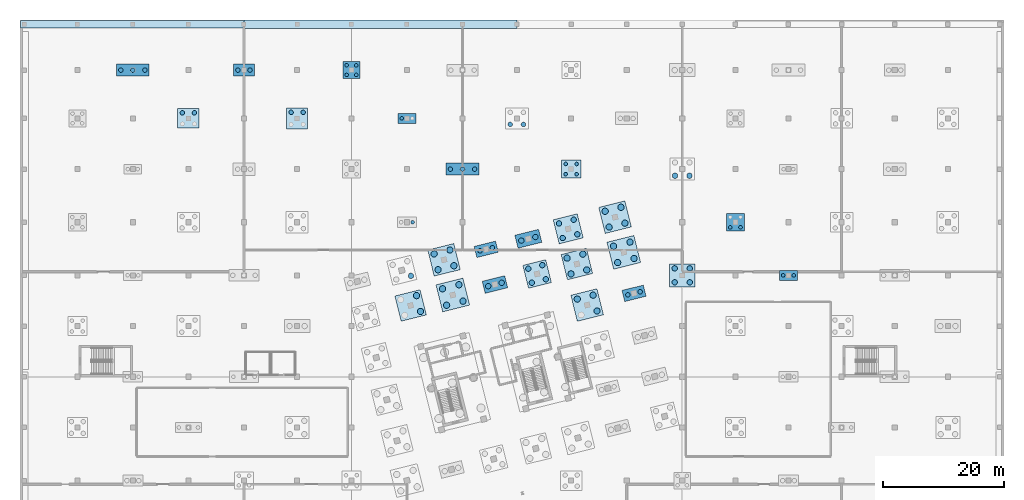
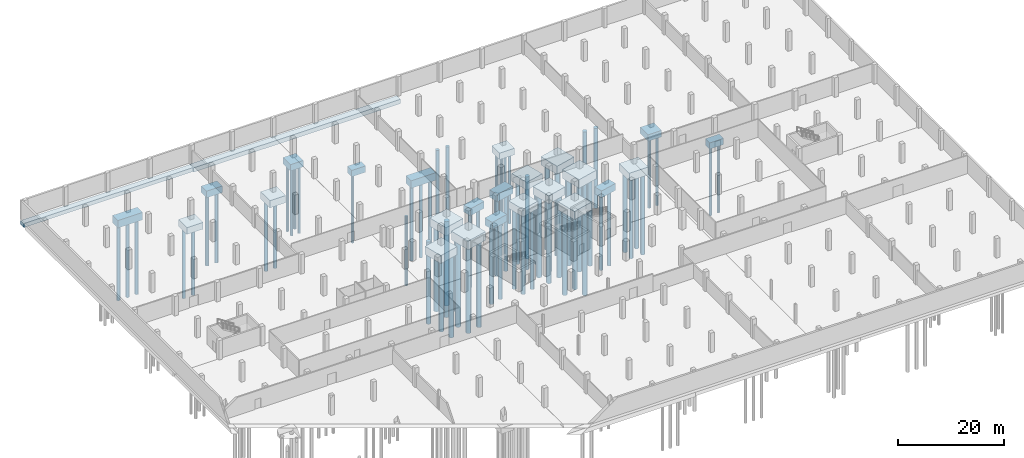
# One storey, part 4 of 29: 76 piles, 26 footings.
"""IFC4 building model written with IfcOpenShell, lengths in metres."""

from ifc_helpers import new_model, si_unit, direction, frame, origin, origin_2d, place, context, subcontext, project, spatial, rectangle, circle, extrude, material, layer, layer_set, material_profile, profile_set, type_object, element, save


model = new_model("IFC4")

# Units and contexts
model_context = context("Model", 3, precision=1e-05, world=origin(), true_north=direction((0.0, 1.0)))
body_context = subcontext(model_context, "Body", "Model", "MODEL_VIEW")
ifc_project = project(units=[si_unit("LENGTHUNIT", "METRE"), si_unit("AREAUNIT", "SQUARE_METRE"), si_unit("VOLUMEUNIT", "CUBIC_METRE"), si_unit("PLANEANGLEUNIT", "RADIAN"), si_unit("MASSUNIT", "GRAM", prefix="KILO")], contexts=[model_context])

# Site, building, storey
site_placement = place(None, origin())
site = spatial("IfcSite", under=ifc_project, at=site_placement, CompositionType="ELEMENT")
building_placement = place(site_placement, origin())
building = spatial("IfcBuilding", under=site, at=building_placement, Name="Meriwether Solvik Hall", CompositionType="ELEMENT")
storey_placement = place(building_placement, frame((0.0, 0.0, -9.0)))
storey = spatial("IfcBuildingStorey", under=building, at=storey_placement, Name="B02", CompositionType="ELEMENT", Elevation=-9.0)

# Footings
ifc_material_1 = material(Name="Concrete C40/50", Category="concrete")
ifc_layer_1 = layer(ifc_material_1, 1.449951171875)
ifc_layer_set_1 = layer_set([ifc_layer_1], Name="Concrete C40/50")
footing_type_1 = type_object("IfcFootingType", Name="FTG-PC-2800X2800X1450", PredefinedType="PILE_CAP", material=ifc_layer_set_1)
footing_1_placement = place(storey_placement, frame((59.39990234375, 109.199951171875, -2.0498046875), z_axis=(0.0, 0.0, 1.0), x_axis=(1.0, 0.0, 0.0)))
element("IfcFooting", 1, at=footing_1_placement, inside=storey, type_object=footing_type_1, Name="Pile Cap pod_7_M", PredefinedType="PILE_CAP", context=body_context, shape_type="SweptSolid", body=[
    extrude(rectangle(XDim=2.800048828125, YDim=2.800048828125, at=origin_2d()), origin(), (0.0, 0.0, 1.0), 1.449951171875),
])
ifc_material_2 = material(Name="Concrete C40/50", Category="concrete")
ifc_layer_2 = layer(ifc_material_2, 1.5)
ifc_layer_set_2 = layer_set([ifc_layer_2], Name="Concrete C40/50")
footing_type_2 = type_object("IfcFootingType", Name="FTG-PC-2950X2950X1500", PredefinedType="PILE_CAP", material=ifc_layer_set_2)
footing_2_placement = place(storey_placement, frame((123.0, 84.0, -2.10009765625), z_axis=(0.0, 0.0, 1.0), x_axis=(1.0, 0.0, 0.0)))
element("IfcFooting", 2, at=footing_2_placement, inside=storey, type_object=footing_type_2, Name="Pile Cap pod_14_J", PredefinedType="PILE_CAP", context=body_context, shape_type="SweptSolid", body=[
    extrude(rectangle(XDim=2.949951171875, YDim=2.949951171875, at=origin_2d()), origin(), (0.0, 0.0, 1.0), 1.5),
])
ifc_material_3 = material(Name="Concrete C40/50", Category="concrete")
ifc_layer_3 = layer(ifc_material_3, 1.449951171875)
ifc_layer_set_3 = layer_set([ifc_layer_3], Name="Concrete C40/50")
footing_type_3 = type_object("IfcFootingType", Name="FTG-PC-3050X1650X1450", PredefinedType="PILE_CAP", material=ifc_layer_set_3)
for number, where, z_axis, x_axis, name in (
    (3, (68.60009765625, 101.199951171875, -2.0498046875), (0.0, 0.0, 1.0), (1.0, 0.0, 0.0), "Pile Cap pod_8_L"),
    (4, (131.800048828125, 75.199951171875, -2.0498046875), (0.0, 0.0, 1.0), (1.0, 0.0, 0.0), "Pile Cap pod_15_I"),
):
    element("IfcFooting", number, at=place(storey_placement, frame(where, z_axis=z_axis, x_axis=x_axis)), inside=storey, type_object=footing_type_3, Name=name, PredefinedType="PILE_CAP", context=body_context, shape_type="SweptSolid", body=[
        extrude(rectangle(XDim=3.050048828125, YDim=1.64990234375, at=origin_2d()), origin(), (0.0, 0.0, 1.0), 1.449951171875),
    ])
ifc_material_4 = material(Name="Concrete C40/50", Category="concrete")
ifc_layer_4 = layer(ifc_material_4, 1.5)
ifc_layer_set_4 = layer_set([ifc_layer_4], Name="Concrete C40/50")
footing_type_4 = type_object("IfcFootingType", Name="FTG-PC-3250X2950X1500", PredefinedType="PILE_CAP", material=ifc_layer_set_4)
footing_3_placement = place(storey_placement, frame((95.800048828125, 92.800048828125, -2.10009765625), z_axis=(0.0, 0.0, 1.0), x_axis=(1.0, 0.0, 0.0)))
element("IfcFooting", 5, at=footing_3_placement, inside=storey, type_object=footing_type_4, Name="Pile Cap pod_11_K", PredefinedType="PILE_CAP", context=body_context, shape_type="SweptSolid", body=[
    extrude(rectangle(XDim=3.25, YDim=2.949951171875, at=origin_2d()), origin(), (0.0, 0.0, 1.0), 1.5),
])
ifc_material_5 = material(Name="Concrete C40/50", Category="concrete")
ifc_layer_5 = layer(ifc_material_5, 1.550048828125)
ifc_layer_set_5 = layer_set([ifc_layer_5], Name="Concrete C40/50")
footing_type_5 = type_object("IfcFootingType", Name="FTG-PC-3450X2000X1550", PredefinedType="PILE_CAP", material=ifc_layer_set_5)
footing_4_placement = place(storey_placement, frame((41.60009765625, 109.199951171875, -2.14990234375), z_axis=(0.0, 0.0, 1.0), x_axis=(1.0, 0.0, 0.0)))
element("IfcFooting", 6, at=footing_4_placement, inside=storey, type_object=footing_type_5, Name="Pile Cap pod_5_M", PredefinedType="PILE_CAP", context=body_context, shape_type="SweptSolid", body=[
    extrude(rectangle(XDim=3.449951171875, YDim=2.0, at=origin_2d()), origin(), (0.0, 0.0, 1.0), 1.550048828125),
])
ifc_material_6 = material(Name="Concrete C40/50", Category="concrete")
ifc_layer_6 = layer(ifc_material_6, 1.64990234375)
ifc_layer_set_6 = layer_set([ifc_layer_6], Name="Concrete C40/50")
footing_type_6 = type_object("IfcFootingType", Name="FTG-PC-3450X3450X1650", PredefinedType="PILE_CAP", material=ifc_layer_set_6)
footing_5_placement = place(storey_placement, frame((50.39990234375, 101.199951171875, -2.25), z_axis=(0.0, 0.0, 1.0), x_axis=(1.0, 0.0, 0.0)))
element("IfcFooting", 7, at=footing_5_placement, inside=storey, type_object=footing_type_6, Name="Pile Cap pod_6_L", PredefinedType="PILE_CAP", context=body_context, shape_type="SweptSolid", body=[
    extrude(rectangle(XDim=3.449951171875, YDim=3.449951171875, at=origin_2d()), origin(), (0.0, 0.0, 1.0), 1.64990234375),
])
ifc_material_7 = material(Name="Concrete C40/50", Category="concrete")
ifc_layer_7 = layer(ifc_material_7, 1.550048828125)
ifc_layer_set_7 = layer_set([ifc_layer_7], Name="Concrete C40/50")
footing_type_7 = type_object("IfcFootingType", Name="FTG-PC-3550X3200X1550", PredefinedType="PILE_CAP", material=ifc_layer_set_7)
footing_6_placement = place(storey_placement, frame((32.39990234375, 101.199951171875, -2.14990234375), z_axis=(0.0, 0.0, 1.0), x_axis=(1.0, 0.0, 0.0)))
element("IfcFooting", 8, at=footing_6_placement, inside=storey, type_object=footing_type_7, Name="Pile Cap pod_4_L", PredefinedType="PILE_CAP", context=body_context, shape_type="SweptSolid", body=[
    extrude(rectangle(XDim=3.550048828125, YDim=3.199951171875, at=origin_2d()), origin(), (0.0, 0.0, 1.0), 1.550048828125),
])
ifc_material_8 = material(Name="Concrete C40/50", Category="concrete")
ifc_layer_8 = layer(ifc_material_8, 1.60009765625)
ifc_layer_set_8 = layer_set([ifc_layer_8], Name="Concrete C40/50")
footing_type_8 = type_object("IfcFootingType", Name="FTG-PC-3650X1900X1600", PredefinedType="PILE_CAP", material=ifc_layer_set_8)
for number, where, z_axis, x_axis, name in (
    (9, (81.72119140625, 79.512451171875, -2.199951171875), (0.0, 0.0, 1.0), (0.970295726276, 0.2419218956, 0.0), "Pile Cap tw_T4_TF"),
    (10, (106.212646484375, 72.220703125, -2.199951171875), (0.0, 0.0, 1.0), (0.970295726276, 0.2419218956, 0.0), "Pile Cap tw_T7_TD"),
):
    element("IfcFooting", number, at=place(storey_placement, frame(where, z_axis=z_axis, x_axis=x_axis)), inside=storey, type_object=footing_type_8, Name=name, PredefinedType="PILE_CAP", context=body_context, shape_type="SweptSolid", body=[
        extrude(rectangle(XDim=3.64990234375, YDim=1.89990234375, at=origin_2d()), origin(), (0.0, 0.0, 1.0), 1.60009765625),
    ])
ifc_material_9 = material(Name="Concrete C40/50", Category="concrete")
ifc_layer_9 = layer(ifc_material_9, 1.64990234375)
ifc_layer_set_9 = layer_set([ifc_layer_9], Name="Concrete C40/50")
footing_type_9 = type_object("IfcFootingType", Name="FTG-PC-3850X2050X1650", PredefinedType="PILE_CAP", material=ifc_layer_set_9)
footing_7_placement = place(storey_placement, frame((83.172607421875, 73.690673828125, -2.25), z_axis=(0.0, 0.0, 1.0), x_axis=(0.970295726276, 0.2419218956, 0.0)))
element("IfcFooting", 11, at=footing_7_placement, inside=storey, type_object=footing_type_9, Name="Pile Cap tw_T4_TE", PredefinedType="PILE_CAP", context=body_context, shape_type="SweptSolid", body=[
    extrude(rectangle(XDim=3.85009765625, YDim=2.050048828125, at=origin_2d()), origin(), (0.0, 0.0, 1.0), 1.64990234375),
])
ifc_material_10 = material(Name="Concrete C40/50", Category="concrete")
ifc_layer_10 = layer(ifc_material_10, 1.75)
ifc_layer_set_10 = layer_set([ifc_layer_10], Name="Concrete C40/50")
footing_type_10 = type_object("IfcFootingType", Name="FTG-PC-3900X3900X1750", PredefinedType="PILE_CAP", material=ifc_layer_set_10)
footing_8_placement = place(storey_placement, frame((90.158935546875, 75.432373046875, -2.35009765625), z_axis=(0.0, 0.0, 1.0), x_axis=(0.970295726276, 0.2419218956, 0.0)))
element("IfcFooting", 12, at=footing_8_placement, inside=storey, type_object=footing_type_10, Name="Pile Cap tw_T5_TE", PredefinedType="PILE_CAP", context=body_context, shape_type="SweptSolid", body=[
    extrude(rectangle(XDim=3.89990234375, YDim=3.89990234375, at=origin_2d()), origin(), (0.0, 0.0, 1.0), 1.75),
])
ifc_material_11 = material(Name="Concrete C40/50", Category="concrete")
ifc_layer_11 = layer(ifc_material_11, 1.699951171875)
ifc_layer_set_11 = layer_set([ifc_layer_11], Name="Concrete C40/50")
footing_type_11 = type_object("IfcFootingType", Name="FTG-PC-4050X2200X1700", PredefinedType="PILE_CAP", material=ifc_layer_set_11)
footing_9_placement = place(storey_placement, frame((88.707275390625, 81.254150390625, -2.2998046875), z_axis=(0.0, 0.0, 1.0), x_axis=(0.970295726276, 0.2419218956, 0.0)))
element("IfcFooting", 13, at=footing_9_placement, inside=storey, type_object=footing_type_11, Name="Pile Cap tw_T5_TF", PredefinedType="PILE_CAP", context=body_context, shape_type="SweptSolid", body=[
    extrude(rectangle(XDim=4.050048828125, YDim=2.199951171875, at=origin_2d()), origin(), (0.0, 0.0, 1.0), 1.699951171875),
])
ifc_material_12 = material(Name="Concrete C40/50", Category="concrete")
ifc_layer_12 = layer(ifc_material_12, 1.800048828125)
ifc_layer_set_12 = layer_set([ifc_layer_12], Name="Concrete C40/50")
footing_type_12 = type_object("IfcFootingType", Name="FTG-PC-4100X4100X1800", PredefinedType="PILE_CAP", material=ifc_layer_set_12)
footing_10_placement = place(storey_placement, frame((95.305419921875, 82.899169921875, -2.39990234375), z_axis=(0.0, 0.0, 1.0), x_axis=(0.970295726276, 0.2419218956, 0.0)))
element("IfcFooting", 14, at=footing_10_placement, inside=storey, type_object=footing_type_12, Name="Pile Cap tw_T6_TF", PredefinedType="PILE_CAP", context=body_context, shape_type="SweptSolid", body=[
    extrude(rectangle(XDim=4.10009765625, YDim=4.10009765625, at=origin_2d()), origin(), (0.0, 0.0, 1.0), 1.800048828125),
])
ifc_material_13 = material(Name="Concrete C40/50", Category="concrete")
ifc_layer_13 = layer(ifc_material_13, 1.800048828125)
ifc_layer_set_13 = layer_set([ifc_layer_13], Name="Concrete C40/50")
footing_type_13 = type_object("IfcFootingType", Name="FTG-PC-4200X3800X1800", PredefinedType="PILE_CAP", material=ifc_layer_set_13)
footing_11_placement = place(storey_placement, frame((114.199951171875, 75.199951171875, -2.39990234375), z_axis=(0.0, 0.0, 1.0), x_axis=(1.0, 0.0, 0.0)))
element("IfcFooting", 15, at=footing_11_placement, inside=storey, type_object=footing_type_13, Name="Pile Cap pod_13_I", PredefinedType="PILE_CAP", context=body_context, shape_type="SweptSolid", body=[
    extrude(rectangle(XDim=4.199951171875, YDim=3.800048828125, at=origin_2d()), origin(), (0.0, 0.0, 1.0), 1.800048828125),
])
ifc_material_14 = material(Name="Concrete C40/50", Category="concrete")
ifc_layer_14 = layer(ifc_material_14, 1.85009765625)
ifc_layer_set_14 = layer_set([ifc_layer_14], Name="Concrete C40/50")
footing_type_14 = type_object("IfcFootingType", Name="FTG-PC-4300X4300X1850", PredefinedType="PILE_CAP", material=ifc_layer_set_14)
for number, where, z_axis, x_axis, name in (
    (16, (69.200439453125, 70.206787109375, -2.449951171875), (0.0, 0.0, 1.0), (0.970295726276, 0.2419218956, 0.0), "Pile Cap tw_T2_TE"),
    (17, (96.7568359375, 77.077392578125, -2.449951171875), (0.0, 0.0, 1.0), (0.970295726276, 0.2419218956, 0.0), "Pile Cap tw_T6_TE"),
):
    element("IfcFooting", number, at=place(storey_placement, frame(where, z_axis=z_axis, x_axis=x_axis)), inside=storey, type_object=footing_type_14, Name=name, PredefinedType="PILE_CAP", context=body_context, shape_type="SweptSolid", body=[
        extrude(rectangle(XDim=4.300048828125, YDim=4.300048828125, at=origin_2d()), origin(), (0.0, 0.0, 1.0), 1.85009765625),
    ])
ifc_material_15 = material(Name="Concrete C40/50", Category="concrete")
ifc_layer_15 = layer(ifc_material_15, 1.89990234375)
ifc_layer_set_15 = layer_set([ifc_layer_15], Name="Concrete C40/50")
footing_type_15 = type_object("IfcFootingType", Name="FTG-PC-4450X4450X1900", PredefinedType="PILE_CAP", material=ifc_layer_set_15)
for number, where, z_axis, x_axis, name in (
    (18, (74.735107421875, 77.7705078125, -2.5), (0.0, 0.0, 1.0), (0.970295726276, 0.2419218956, 0.0), "Pile Cap tw_T3_TF"),
    (19, (98.4501953125, 70.285400390625, -2.5), (0.0, 0.0, 1.0), (0.970295726276, 0.2419218956, 0.0), "Pile Cap tw_T6_TD"),
    (20, (103.067626953125, 84.834716796875, -2.5), (0.0, 0.0, 1.0), (0.970295726276, 0.2419218956, 0.0), "Pile Cap tw_T7_TF"),
):
    element("IfcFooting", number, at=place(storey_placement, frame(where, z_axis=z_axis, x_axis=x_axis)), inside=storey, type_object=footing_type_15, Name=name, PredefinedType="PILE_CAP", context=body_context, shape_type="SweptSolid", body=[
        extrude(rectangle(XDim=4.449951171875, YDim=4.449951171875, at=origin_2d()), origin(), (0.0, 0.0, 1.0), 1.89990234375),
    ])
ifc_material_16 = material(Name="Concrete C40/50", Category="concrete")
ifc_layer_16 = layer(ifc_material_16, 2.0)
ifc_layer_set_16 = layer_set([ifc_layer_16], Name="Concrete C40/50")
footing_type_16 = type_object("IfcFootingType", Name="FTG-PC-4600X4600X2000", PredefinedType="PILE_CAP", material=ifc_layer_set_16)
for number, where, z_axis, x_axis, name in (
    (21, (76.1865234375, 71.94873046875, -2.60009765625), (0.0, 0.0, 1.0), (0.970295726276, 0.2419218956, 0.0), "Pile Cap tw_T3_TE"),
    (22, (104.519287109375, 79.012939453125, -2.60009765625), (0.0, 0.0, 1.0), (0.970295726276, 0.2419218956, 0.0), "Pile Cap tw_T7_TE"),
):
    element("IfcFooting", number, at=place(storey_placement, frame(where, z_axis=z_axis, x_axis=x_axis)), inside=storey, type_object=footing_type_16, Name=name, PredefinedType="PILE_CAP", context=body_context, shape_type="SweptSolid", body=[
        extrude(rectangle(XDim=4.60009765625, YDim=4.60009765625, at=origin_2d()), origin(), (0.0, 0.0, 1.0), 2.0),
    ])
ifc_material_17 = material(Name="Concrete C40/50", Category="concrete")
ifc_layer_17 = layer(ifc_material_17, 1.75)
ifc_layer_set_17 = layer_set([ifc_layer_17], Name="Concrete C40/50")
footing_type_17 = type_object("IfcFootingType", Name="FTG-PC-5400X2000X1750", PredefinedType="PILE_CAP", material=ifc_layer_set_17)
for number, where, z_axis, x_axis, name in (
    (23, (23.199951171875, 109.199951171875, -2.35009765625), (0.0, 0.0, 1.0), (1.0, 0.0, 0.0), "Pile Cap pod_3_M"),
    (24, (77.800048828125, 92.800048828125, -2.35009765625), (0.0, 0.0, 1.0), (1.0, 0.0, 0.0), "Pile Cap pod_9_K"),
):
    element("IfcFooting", number, at=place(storey_placement, frame(where, z_axis=z_axis, x_axis=x_axis)), inside=storey, type_object=footing_type_17, Name=name, PredefinedType="PILE_CAP", context=body_context, shape_type="SweptSolid", body=[
        extrude(rectangle(XDim=5.39990234375, YDim=2.0, at=origin_2d()), origin(), (0.0, 0.0, 1.0), 1.75),
    ])
ifc_material_18 = material(Name="Concrete C40/50", Category="concrete")
ifc_layer_18 = layer(ifc_material_18, 0.89990234375)
ifc_layer_set_18 = layer_set([ifc_layer_18], Name="Concrete C40/50")
footing_type_18 = type_object("IfcFootingType", Name="FTG-SF-1200X900", PredefinedType="STRIP_FOOTING", material=ifc_layer_set_18)
footing_12_placement = place(storey_placement, frame((23.10009765625, 116.800048828125, -1.5), z_axis=(0.0, 0.0, 1.0), x_axis=(1.0, 0.0, 0.0)))
element("IfcFooting", 25, at=footing_12_placement, inside=storey, type_object=footing_type_18, Name="Perimeter Strip Footing SF_N1", PredefinedType="STRIP_FOOTING", context=body_context, shape_type="SweptSolid", body=[
    extrude(rectangle(XDim=37.0, YDim=1.199951171875, at=origin_2d()), origin(), (0.0, 0.0, 1.0), 0.89990234375),
])
ifc_material_19 = material(Name="Concrete C40/50", Category="concrete")
ifc_layer_19 = layer(ifc_material_19, 1.0)
ifc_layer_set_19 = layer_set([ifc_layer_19], Name="Concrete C40/50")
footing_type_19 = type_object("IfcFootingType", Name="FTG-SF-1400X1000", PredefinedType="STRIP_FOOTING", material=ifc_layer_set_19)
footing_13_placement = place(storey_placement, frame((64.199951171875, 116.800048828125, -1.60009765625), z_axis=(0.0, 0.0, 1.0), x_axis=(1.0, 0.0, 0.0)))
element("IfcFooting", 26, at=footing_13_placement, inside=storey, type_object=footing_type_19, Name="Perimeter Strip Footing SF_N2", PredefinedType="STRIP_FOOTING", context=body_context, shape_type="SweptSolid", body=[
    extrude(rectangle(XDim=45.199951171875, YDim=1.39990234375, at=origin_2d()), origin(), (0.0, 0.0, 1.0), 1.0),
])

# Piles
ifc_material_20 = material(Name="Concrete C40/50", Category="concrete")
ifc_material_profile_1 = material_profile(ifc_material_20, circle(Radius=0.52490234375, at=origin_2d()), Name="PILE-D1050")
ifc_profile_set_1 = profile_set([ifc_material_profile_1], Name="Concrete C40/50")
pile_type_1 = type_object("IfcPileType", Name="PILE-BORED-1050", PredefinedType="BORED", material=ifc_profile_set_1)
for number, where, z_axis, x_axis, name in (
    (27, (70.8369140625, 69.2236328125, -2.330078125), (0.0, 0.0, -1.0), (1.0, 0.0, 0.0), "Bored Pile P-044"),
    (28, (70.183837890625, 71.84326171875, -2.330078125), (0.0, 0.0, -1.0), (1.0, 0.0, 0.0), "Bored Pile P-046"),
):
    element("IfcPile", number, at=place(storey_placement, frame(where, z_axis=z_axis, x_axis=x_axis)), inside=storey, type_object=pile_type_1, Name=name, PredefinedType="BORED", context=body_context, shape_type="SweptSolid", body=[
        extrude(circle(Radius=0.52490234375, at=origin_2d()), origin(), (0.0, 0.0, 1.0), 19.0),
    ])
for number, where, z_axis, x_axis, name in (
    (29, (75.166748046875, 70.251708984375, -2.47998046875), (0.0, 0.0, -1.0), (1.0, 0.0, 0.0), "Bored Pile P-055"),
    (30, (77.8837890625, 70.928955078125, -2.47998046875), (0.0, 0.0, -1.0), (1.0, 0.0, 0.0), "Bored Pile P-056"),
    (31, (74.489501953125, 72.968505859375, -2.47998046875), (0.0, 0.0, -1.0), (1.0, 0.0, 0.0), "Bored Pile P-057"),
    (32, (77.206298828125, 73.645751953125, -2.47998046875), (0.0, 0.0, -1.0), (1.0, 0.0, 0.0), "Bored Pile P-058"),
):
    element("IfcPile", number, at=place(storey_placement, frame(where, z_axis=z_axis, x_axis=x_axis)), inside=storey, type_object=pile_type_1, Name=name, PredefinedType="BORED", context=body_context, shape_type="SweptSolid", body=[
        extrude(circle(Radius=0.52490234375, at=origin_2d()), origin(), (0.0, 0.0, 1.0), 20.0),
    ])
for number, where, z_axis, x_axis, name in (
    (33, (73.751708984375, 76.134033203125, -2.3798828125), (0.0, 0.0, -1.0), (1.0, 0.0, 0.0), "Bored Pile P-059"),
    (34, (76.37158203125, 76.787109375, -2.3798828125), (0.0, 0.0, -1.0), (1.0, 0.0, 0.0), "Bored Pile P-060"),
    (35, (73.0986328125, 78.75390625, -2.3798828125), (0.0, 0.0, -1.0), (1.0, 0.0, 0.0), "Bored Pile P-061"),
    (36, (75.71826171875, 79.406982421875, -2.3798828125), (0.0, 0.0, -1.0), (1.0, 0.0, 0.0), "Bored Pile P-062"),
    (37, (100.086669921875, 69.302001953125, -2.3798828125), (0.0, 0.0, -1.0), (1.0, 0.0, 0.0), "Bored Pile P-090"),
    (38, (96.813720703125, 71.268798828125, -2.3798828125), (0.0, 0.0, -1.0), (1.0, 0.0, 0.0), "Bored Pile P-091"),
    (39, (99.43359375, 71.921875, -2.3798828125), (0.0, 0.0, -1.0), (1.0, 0.0, 0.0), "Bored Pile P-092"),
):
    element("IfcPile", number, at=place(storey_placement, frame(where, z_axis=z_axis, x_axis=x_axis)), inside=storey, type_object=pile_type_1, Name=name, PredefinedType="BORED", context=body_context, shape_type="SweptSolid", body=[
        extrude(circle(Radius=0.52490234375, at=origin_2d()), origin(), (0.0, 0.0, 1.0), 19.5),
    ])
for number, where, z_axis, x_axis, name in (
    (40, (95.7734375, 75.44091796875, -2.330078125), (0.0, 0.0, -1.0), (1.0, 0.0, 0.0), "Bored Pile P-093"),
    (41, (98.393310546875, 76.09423828125, -2.330078125), (0.0, 0.0, -1.0), (1.0, 0.0, 0.0), "Bored Pile P-094"),
    (42, (95.120361328125, 78.060791015625, -2.330078125), (0.0, 0.0, -1.0), (1.0, 0.0, 0.0), "Bored Pile P-095"),
    (43, (97.740234375, 78.7138671875, -2.330078125), (0.0, 0.0, -1.0), (1.0, 0.0, 0.0), "Bored Pile P-096"),
):
    element("IfcPile", number, at=place(storey_placement, frame(where, z_axis=z_axis, x_axis=x_axis)), inside=storey, type_object=pile_type_1, Name=name, PredefinedType="BORED", context=body_context, shape_type="SweptSolid", body=[
        extrude(circle(Radius=0.52490234375, at=origin_2d()), origin(), (0.0, 0.0, 1.0), 19.0),
    ])
for number, where, z_axis, x_axis, name in (
    (44, (103.49951171875, 77.315673828125, -2.47998046875), (0.0, 0.0, -1.0), (1.0, 0.0, 0.0), "Bored Pile P-111"),
    (45, (106.21630859375, 77.9931640625, -2.47998046875), (0.0, 0.0, -1.0), (1.0, 0.0, 0.0), "Bored Pile P-112"),
    (46, (102.822021484375, 80.032470703125, -2.47998046875), (0.0, 0.0, -1.0), (1.0, 0.0, 0.0), "Bored Pile P-113"),
    (47, (105.538818359375, 80.7099609375, -2.47998046875), (0.0, 0.0, -1.0), (1.0, 0.0, 0.0), "Bored Pile P-114"),
):
    element("IfcPile", number, at=place(storey_placement, frame(where, z_axis=z_axis, x_axis=x_axis)), inside=storey, type_object=pile_type_1, Name=name, PredefinedType="BORED", context=body_context, shape_type="SweptSolid", body=[
        extrude(circle(Radius=0.52490234375, at=origin_2d()), origin(), (0.0, 0.0, 1.0), 20.0),
    ])
for number, where, z_axis, x_axis, name in (
    (48, (102.08447265625, 83.197998046875, -2.3798828125), (0.0, 0.0, -1.0), (1.0, 0.0, 0.0), "Bored Pile P-115"),
    (49, (104.7041015625, 83.851318359375, -2.3798828125), (0.0, 0.0, -1.0), (1.0, 0.0, 0.0), "Bored Pile P-116"),
    (50, (101.43115234375, 85.81787109375, -2.3798828125), (0.0, 0.0, -1.0), (1.0, 0.0, 0.0), "Bored Pile P-117"),
    (51, (104.051025390625, 86.47119140625, -2.3798828125), (0.0, 0.0, -1.0), (1.0, 0.0, 0.0), "Bored Pile P-118"),
):
    element("IfcPile", number, at=place(storey_placement, frame(where, z_axis=z_axis, x_axis=x_axis)), inside=storey, type_object=pile_type_1, Name=name, PredefinedType="BORED", context=body_context, shape_type="SweptSolid", body=[
        extrude(circle(Radius=0.52490234375, at=origin_2d()), origin(), (0.0, 0.0, 1.0), 19.5),
    ])
ifc_material_21 = material(Name="Concrete C40/50", Category="concrete")
ifc_material_profile_2 = material_profile(ifc_material_21, circle(Radius=0.300048828125, at=origin_2d()), Name="PILE-D600")
ifc_profile_set_2 = profile_set([ifc_material_profile_2], Name="Concrete C40/50")
pile_type_2 = type_object("IfcPileType", Name="PILE-BORED-600", PredefinedType="BORED", material=ifc_profile_set_2)
for number, where, z_axis, x_axis, name in (
    (52, (58.60009765625, 108.39990234375, -1.929931640625), (0.0, 0.0, -1.0), (1.0, 0.0, 0.0), "Bored Pile P-229"),
    (53, (60.199951171875, 108.39990234375, -1.929931640625), (0.0, 0.0, -1.0), (1.0, 0.0, 0.0), "Bored Pile P-230"),
    (54, (58.60009765625, 110.0, -1.929931640625), (0.0, 0.0, -1.0), (1.0, 0.0, 0.0), "Bored Pile P-231"),
    (55, (60.199951171875, 110.0, -1.929931640625), (0.0, 0.0, -1.0), (1.0, 0.0, 0.0), "Bored Pile P-232"),
):
    element("IfcPile", number, at=place(storey_placement, frame(where, z_axis=z_axis, x_axis=x_axis)), inside=storey, type_object=pile_type_2, Name=name, PredefinedType="BORED", context=body_context, shape_type="SweptSolid", body=[
        extrude(circle(Radius=0.300048828125, at=origin_2d()), origin(), (0.0, 0.0, 1.0), 15.5),
    ])
for number, where, z_axis, x_axis, name in (
    (56, (69.550048828125, 84.0, -1.97998046875), (0.0, 0.0, -1.0), (1.0, 0.0, 0.0), "Bored Pile P-238"),
    (57, (67.719970703125, 101.199951171875, -1.929931640625), (0.0, 0.0, -1.0), (1.0, 0.0, 0.0), "Bored Pile P-239"),
    (58, (94.89990234375, 91.949951171875, -1.97998046875), (0.0, 0.0, -1.0), (1.0, 0.0, 0.0), "Bored Pile P-267"),
    (59, (96.699951171875, 91.949951171875, -1.97998046875), (0.0, 0.0, -1.0), (1.0, 0.0, 0.0), "Bored Pile P-268"),
    (60, (94.89990234375, 93.64990234375, -1.97998046875), (0.0, 0.0, -1.0), (1.0, 0.0, 0.0), "Bored Pile P-269"),
    (61, (96.699951171875, 93.64990234375, -1.97998046875), (0.0, 0.0, -1.0), (1.0, 0.0, 0.0), "Bored Pile P-270"),
    (62, (122.14990234375, 83.14990234375, -1.97998046875), (0.0, 0.0, -1.0), (1.0, 0.0, 0.0), "Bored Pile P-315"),
    (63, (123.85009765625, 83.14990234375, -1.97998046875), (0.0, 0.0, -1.0), (1.0, 0.0, 0.0), "Bored Pile P-316"),
    (64, (130.919921875, 75.199951171875, -1.929931640625), (0.0, 0.0, -1.0), (1.0, 0.0, 0.0), "Bored Pile P-329"),
    (65, (132.679931640625, 75.199951171875, -1.929931640625), (0.0, 0.0, -1.0), (1.0, 0.0, 0.0), "Bored Pile P-330"),
):
    element("IfcPile", number, at=place(storey_placement, frame(where, z_axis=z_axis, x_axis=x_axis)), inside=storey, type_object=pile_type_2, Name=name, PredefinedType="BORED", context=body_context, shape_type="SweptSolid", body=[
        extrude(circle(Radius=0.300048828125, at=origin_2d()), origin(), (0.0, 0.0, 1.0), 16.0),
    ])
ifc_material_22 = material(Name="Concrete C40/50", Category="concrete")
ifc_material_profile_3 = material_profile(ifc_material_22, circle(Radius=0.375, at=origin_2d()), Name="PILE-D750")
ifc_profile_set_3 = profile_set([ifc_material_profile_3], Name="Concrete C40/50")
pile_type_3 = type_object("IfcPileType", Name="PILE-BORED-750", PredefinedType="BORED", material=ifc_profile_set_3)
for number, where, z_axis, x_axis, name in (
    (66, (80.702392578125, 79.25830078125, -2.080078125), (0.0, 0.0, -1.0), (1.0, 0.0, 0.0), "Bored Pile P-069"),
    (67, (82.739990234375, 79.766357421875, -2.080078125), (0.0, 0.0, -1.0), (1.0, 0.0, 0.0), "Bored Pile P-070"),
    (68, (105.19384765625, 71.966796875, -2.080078125), (0.0, 0.0, -1.0), (1.0, 0.0, 0.0), "Bored Pile P-109"),
    (69, (107.2314453125, 72.474853515625, -2.080078125), (0.0, 0.0, -1.0), (1.0, 0.0, 0.0), "Bored Pile P-110"),
    (70, (21.199951171875, 109.199951171875, -2.22998046875), (0.0, 0.0, -1.0), (1.0, 0.0, 0.0), "Bored Pile P-153"),
    (71, (23.199951171875, 109.199951171875, -2.22998046875), (0.0, 0.0, -1.0), (1.0, 0.0, 0.0), "Bored Pile P-154"),
    (72, (25.199951171875, 109.199951171875, -2.22998046875), (0.0, 0.0, -1.0), (1.0, 0.0, 0.0), "Bored Pile P-155"),
):
    element("IfcPile", number, at=place(storey_placement, frame(where, z_axis=z_axis, x_axis=x_axis)), inside=storey, type_object=pile_type_3, Name=name, PredefinedType="BORED", context=body_context, shape_type="SweptSolid", body=[
        extrude(circle(Radius=0.375, at=origin_2d()), origin(), (0.0, 0.0, 1.0), 17.5),
    ])
for number, where, z_axis, x_axis, name in (
    (73, (31.39990234375, 102.1201171875, -2.030029296875), (0.0, 0.0, -1.0), (1.0, 0.0, 0.0), "Bored Pile P-175"),
    (74, (33.39990234375, 102.1201171875, -2.030029296875), (0.0, 0.0, -1.0), (1.0, 0.0, 0.0), "Bored Pile P-176"),
    (75, (40.60009765625, 109.199951171875, -2.030029296875), (0.0, 0.0, -1.0), (1.0, 0.0, 0.0), "Bored Pile P-193"),
    (76, (42.60009765625, 109.199951171875, -2.030029296875), (0.0, 0.0, -1.0), (1.0, 0.0, 0.0), "Bored Pile P-194"),
    (77, (49.39990234375, 102.199951171875, -2.1298828125), (0.0, 0.0, -1.0), (1.0, 0.0, 0.0), "Bored Pile P-215"),
    (78, (51.39990234375, 102.199951171875, -2.1298828125), (0.0, 0.0, -1.0), (1.0, 0.0, 0.0), "Bored Pile P-216"),
):
    element("IfcPile", number, at=place(storey_placement, frame(where, z_axis=z_axis, x_axis=x_axis)), inside=storey, type_object=pile_type_3, Name=name, PredefinedType="BORED", context=body_context, shape_type="SweptSolid", body=[
        extrude(circle(Radius=0.375, at=origin_2d()), origin(), (0.0, 0.0, 1.0), 16.5),
    ])
for number, where, z_axis, x_axis, name in (
    (79, (75.800048828125, 92.800048828125, -2.22998046875), (0.0, 0.0, -1.0), (1.0, 0.0, 0.0), "Bored Pile P-243"),
    (80, (77.800048828125, 92.800048828125, -2.22998046875), (0.0, 0.0, -1.0), (1.0, 0.0, 0.0), "Bored Pile P-244"),
    (81, (79.800048828125, 92.800048828125, -2.22998046875), (0.0, 0.0, -1.0), (1.0, 0.0, 0.0), "Bored Pile P-245"),
):
    element("IfcPile", number, at=place(storey_placement, frame(where, z_axis=z_axis, x_axis=x_axis)), inside=storey, type_object=pile_type_3, Name=name, PredefinedType="BORED", context=body_context, shape_type="SweptSolid", body=[
        extrude(circle(Radius=0.375, at=origin_2d()), origin(), (0.0, 0.0, 1.0), 17.5),
    ])
for number, where, z_axis, x_axis, name in (
    (82, (85.699951171875, 100.199951171875, -2.1298828125), (0.0, 0.0, -1.0), (1.0, 0.0, 0.0), "Bored Pile P-255"),
    (83, (87.89990234375, 100.199951171875, -2.1298828125), (0.0, 0.0, -1.0), (1.0, 0.0, 0.0), "Bored Pile P-256"),
):
    element("IfcPile", number, at=place(storey_placement, frame(where, z_axis=z_axis, x_axis=x_axis)), inside=storey, type_object=pile_type_3, Name=name, PredefinedType="BORED", context=body_context, shape_type="SweptSolid", body=[
        extrude(circle(Radius=0.375, at=origin_2d()), origin(), (0.0, 0.0, 1.0), 17.0),
    ])
ifc_material_23 = material(Name="Concrete C40/50", Category="concrete")
ifc_material_profile_4 = material_profile(ifc_material_23, circle(Radius=0.449951171875, at=origin_2d()), Name="PILE-D900")
ifc_profile_set_4 = profile_set([ifc_material_profile_4], Name="Concrete C40/50")
pile_type_4 = type_object("IfcPileType", Name="PILE-BORED-900", PredefinedType="BORED", material=ifc_profile_set_4)
pile_placement = place(storey_placement, frame((69.26416015625, 75.1181640625, -2.280029296875), z_axis=(0.0, 0.0, -1.0), x_axis=(1.0, 0.0, 0.0)))
element("IfcPile", 84, at=pile_placement, inside=storey, type_object=pile_type_4, Name="Bored Pile P-048", PredefinedType="BORED", context=body_context, shape_type="SweptSolid", body=[
    extrude(circle(Radius=0.449951171875, at=origin_2d()), origin(), (0.0, 0.0, 1.0), 19.0),
])
for number, where, z_axis, x_axis, name in (
    (85, (82.056884765625, 73.412353515625, -2.1298828125), (0.0, 0.0, -1.0), (1.0, 0.0, 0.0), "Bored Pile P-067"),
    (86, (84.28857421875, 73.96875, -2.1298828125), (0.0, 0.0, -1.0), (1.0, 0.0, 0.0), "Bored Pile P-068"),
):
    element("IfcPile", number, at=place(storey_placement, frame(where, z_axis=z_axis, x_axis=x_axis)), inside=storey, type_object=pile_type_4, Name=name, PredefinedType="BORED", context=body_context, shape_type="SweptSolid", body=[
        extrude(circle(Radius=0.449951171875, at=origin_2d()), origin(), (0.0, 0.0, 1.0), 18.0),
    ])
for number, where, z_axis, x_axis, name in (
    (87, (89.28466796875, 73.977783203125, -2.22998046875), (0.0, 0.0, -1.0), (1.0, 0.0, 0.0), "Bored Pile P-075"),
    (88, (91.613525390625, 74.558349609375, -2.22998046875), (0.0, 0.0, -1.0), (1.0, 0.0, 0.0), "Bored Pile P-076"),
    (89, (88.7041015625, 76.306396484375, -2.22998046875), (0.0, 0.0, -1.0), (1.0, 0.0, 0.0), "Bored Pile P-077"),
    (90, (91.032958984375, 76.886962890625, -2.22998046875), (0.0, 0.0, -1.0), (1.0, 0.0, 0.0), "Bored Pile P-078"),
):
    element("IfcPile", number, at=place(storey_placement, frame(where, z_axis=z_axis, x_axis=x_axis)), inside=storey, type_object=pile_type_4, Name=name, PredefinedType="BORED", context=body_context, shape_type="SweptSolid", body=[
        extrude(circle(Radius=0.449951171875, at=origin_2d()), origin(), (0.0, 0.0, 1.0), 18.5),
    ])
for number, where, z_axis, x_axis, name in (
    (91, (87.54296875, 80.9638671875, -2.179931640625), (0.0, 0.0, -1.0), (1.0, 0.0, 0.0), "Bored Pile P-079"),
    (92, (89.87158203125, 81.54443359375, -2.179931640625), (0.0, 0.0, -1.0), (1.0, 0.0, 0.0), "Bored Pile P-080"),
):
    element("IfcPile", number, at=place(storey_placement, frame(where, z_axis=z_axis, x_axis=x_axis)), inside=storey, type_object=pile_type_4, Name=name, PredefinedType="BORED", context=body_context, shape_type="SweptSolid", body=[
        extrude(circle(Radius=0.449951171875, at=origin_2d()), origin(), (0.0, 0.0, 1.0), 18.0),
    ])
for number, where, z_axis, x_axis, name in (
    (93, (94.394775390625, 81.384033203125, -2.280029296875), (0.0, 0.0, -1.0), (1.0, 0.0, 0.0), "Bored Pile P-097"),
    (94, (96.820556640625, 81.98876953125, -2.280029296875), (0.0, 0.0, -1.0), (1.0, 0.0, 0.0), "Bored Pile P-098"),
    (95, (93.7900390625, 83.809814453125, -2.280029296875), (0.0, 0.0, -1.0), (1.0, 0.0, 0.0), "Bored Pile P-099"),
    (96, (96.2158203125, 84.41455078125, -2.280029296875), (0.0, 0.0, -1.0), (1.0, 0.0, 0.0), "Bored Pile P-100"),
):
    element("IfcPile", number, at=place(storey_placement, frame(where, z_axis=z_axis, x_axis=x_axis)), inside=storey, type_object=pile_type_4, Name=name, PredefinedType="BORED", context=body_context, shape_type="SweptSolid", body=[
        extrude(circle(Radius=0.449951171875, at=origin_2d()), origin(), (0.0, 0.0, 1.0), 19.0),
    ])
for number, where, z_axis, x_axis, name in (
    (97, (112.949951171875, 74.050048828125, -2.280029296875), (0.0, 0.0, -1.0), (1.0, 0.0, 0.0), "Bored Pile P-289"),
    (98, (115.449951171875, 74.050048828125, -2.280029296875), (0.0, 0.0, -1.0), (1.0, 0.0, 0.0), "Bored Pile P-290"),
    (99, (112.949951171875, 76.35009765625, -2.280029296875), (0.0, 0.0, -1.0), (1.0, 0.0, 0.0), "Bored Pile P-291"),
    (100, (115.449951171875, 76.35009765625, -2.280029296875), (0.0, 0.0, -1.0), (1.0, 0.0, 0.0), "Bored Pile P-292"),
    (101, (113.0, 91.699951171875, -2.22998046875), (0.0, 0.0, -1.0), (1.0, 0.0, 0.0), "Bored Pile P-293"),
    (102, (115.39990234375, 91.699951171875, -2.22998046875), (0.0, 0.0, -1.0), (1.0, 0.0, 0.0), "Bored Pile P-294"),
):
    element("IfcPile", number, at=place(storey_placement, frame(where, z_axis=z_axis, x_axis=x_axis)), inside=storey, type_object=pile_type_4, Name=name, PredefinedType="BORED", context=body_context, shape_type="SweptSolid", body=[
        extrude(circle(Radius=0.449951171875, at=origin_2d()), origin(), (0.0, 0.0, 1.0), 18.5),
    ])

save(model, "model.ifc")
